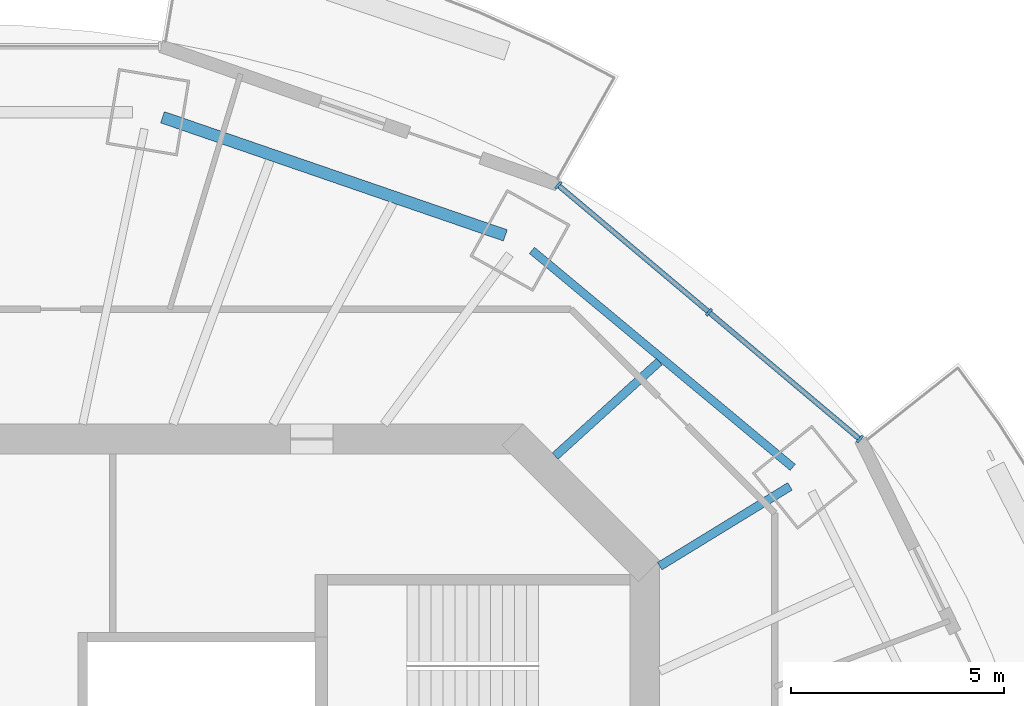
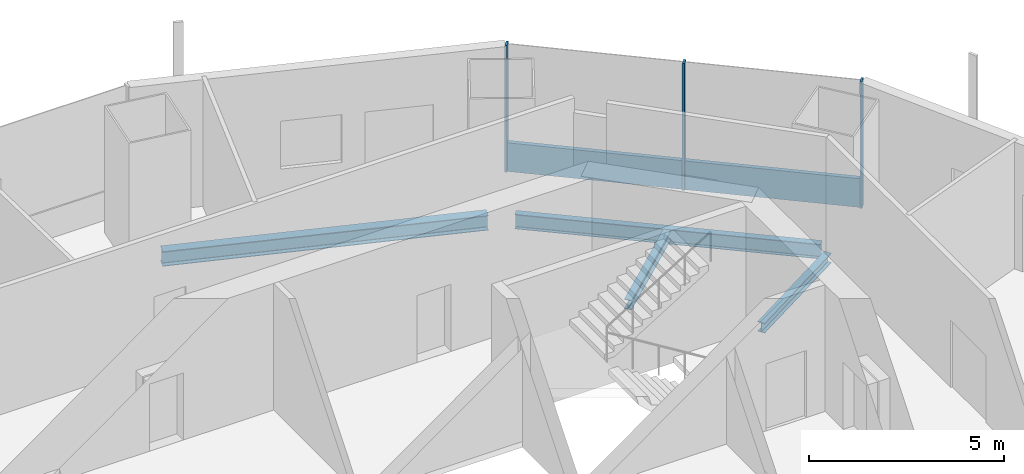
# One storey, part 6 of 16: 4 beams, 4 members, 1 element without a shape of its own.
"""IFC4 building model written with IfcOpenShell, lengths in metres."""

from ifc_helpers import new_model, si_unit, direction, frame, origin, origin_2d, place, context, subcontext, project, spatial, rectangle, i_section, extrude, material, material_profile, profile_set, type_object, element, aggregate, save


model = new_model("IFC4")

# Units and contexts
model_context = context("Model", 3, precision=1e-05, world=origin(), true_north=direction((0.0, 1.0)))
body_context = subcontext(model_context, "Body", "Model", "MODEL_VIEW")
ifc_project = project(units=[si_unit("LENGTHUNIT", "METRE"), si_unit("AREAUNIT", "SQUARE_METRE"), si_unit("VOLUMEUNIT", "CUBIC_METRE"), si_unit("PLANEANGLEUNIT", "RADIAN"), si_unit("MASSUNIT", "GRAM", prefix="KILO")], contexts=[model_context])

# Site, building, storey
site_placement = place(None, origin())
site = spatial("IfcSite", under=ifc_project, at=site_placement, CompositionType="ELEMENT")
building_placement = place(site_placement, origin())
building = spatial("IfcBuilding", under=site, at=building_placement, Name="Marenthal Gate Tower", CompositionType="ELEMENT")
storey_placement = place(building_placement, frame((0.0, 0.0, 379.949951171875)))
storey = spatial("IfcBuildingStorey", under=building, at=storey_placement, Name="L86", CompositionType="ELEMENT", Elevation=379.949951171875)

# Curtain wall, members
ifc_material_1 = material(Name="Aluminium and glass", Category="aluminium")
curtain_wall_type = type_object("IfcCurtainWallType", Name="Curtain wall typical high", PredefinedType="NOTDEFINED", material=ifc_material_1)
curtain_wall_placement = place(storey_placement, origin())
curtain_wall = element("IfcCurtainWall", 1, at=curtain_wall_placement, inside=storey, type_object=curtain_wall_type, Name="Curtain wall L86 bay 2", PredefinedType="NOTDEFINED")
ifc_material_2 = material(Name="Aluminium", Category="aluminium")
ifc_material_profile_1 = material_profile(ifc_material_2, rectangle(XDim=0.199951171875, YDim=0.06005859375, at=origin_2d()), Name="60x200 aluminium mullion")
ifc_profile_set_1 = profile_set([ifc_material_profile_1], Name="Aluminium")
member_type_1 = type_object("IfcMemberType", Name="Mullion 60x200 typical high", PredefinedType="MULLION", material=ifc_profile_set_1)
member_1_placement = place(storey_placement, frame((21.04736328125, 13.000244140625, 0.0), z_axis=(0.0, 0.0, 1.0), x_axis=(-0.64413508453, -0.764911754961, 0.0)))
member_1 = element("IfcMember", 2, at=member_1_placement, type_object=member_type_1, Name="Mullion L86 bay 2.1", PredefinedType="MULLION", context=body_context, shape_type="SweptSolid", body=[
    extrude(rectangle(XDim=0.199951171875, YDim=0.06005859375, at=origin_2d()), origin(), (0.0, 0.0, 1.0), 3.969970703125),
])
member_2_placement = place(storey_placement, frame((17.508056640625, 15.98046875, 0.0), z_axis=(0.0, 0.0, 1.0), x_axis=(-0.64413508453, -0.764911754961, 0.0)))
member_2 = element("IfcMember", 3, at=member_2_placement, type_object=member_type_1, Name="Mullion L86 bay 2.2", PredefinedType="MULLION", context=body_context, shape_type="SweptSolid", body=[
    extrude(rectangle(XDim=0.199951171875, YDim=0.06005859375, at=origin_2d()), origin(), (0.0, 0.0, 1.0), 3.969970703125),
])
member_3_placement = place(storey_placement, frame((13.96875, 18.9609375, 0.0), z_axis=(0.0, 0.0, 1.0), x_axis=(-0.64413508453, -0.764911754961, 0.0)))
member_3 = element("IfcMember", 4, at=member_3_placement, type_object=member_type_1, Name="Mullion L86 bay 2.3", PredefinedType="MULLION", context=body_context, shape_type="SweptSolid", body=[
    extrude(rectangle(XDim=0.199951171875, YDim=0.06005859375, at=origin_2d()), origin(), (0.0, 0.0, 1.0), 3.969970703125),
])
ifc_material_3 = material(Name="Aluminium", Category="aluminium")
ifc_material_profile_2 = material_profile(ifc_material_3, rectangle(XDim=0.1201171875, YDim=0.89990234375, at=origin_2d()), Name="120x900 aluminium transom")
ifc_profile_set_2 = profile_set([ifc_material_profile_2], Name="Aluminium")
member_type_2 = type_object("IfcMemberType", Name="Transom 120x900 typical high", PredefinedType="USERDEFINED", material=ifc_profile_set_2)
member_4_placement = place(storey_placement, frame((21.0244140625, 13.01953125, 0.449951171875), z_axis=(-0.764920149863, 0.644125115435, 0.0), x_axis=(-0.644125115435, -0.764920149863, 0.0)))
member_4 = element("IfcMember", 5, at=member_4_placement, type_object=member_type_2, Name="Transom L86 bay 2", ObjectType="TRANSOM", PredefinedType="USERDEFINED", context=body_context, shape_type="SweptSolid", body=[
    extrude(rectangle(XDim=0.1201171875, YDim=0.89990234375, at=origin_2d()), origin(), (0.0, 0.0, 1.0), 9.194091796875),
])
aggregate(curtain_wall, [member_1, member_2, member_3, member_4])

# Beams
ifc_material_4 = material(Name="Steel S355", Category="steel")
ifc_material_profile_3 = material_profile(ifc_material_4, i_section(OverallWidth=0.202880859375, OverallDepth=0.302001953125, WebThickness=0.007568359375, FlangeThickness=0.01318359375, FilletRadius=0.0126953125, at=origin_2d()), Name="W310X60")
ifc_profile_set_3 = profile_set([ifc_material_profile_3], Name="Steel S355")
beam_type_1 = type_object("IfcBeamType", Name="W310X60 beam", PredefinedType="BEAM", material=ifc_profile_set_3)
beam_1_placement = place(storey_placement, frame((16.3408203125, 14.820068359375, -0.3310546875), z_axis=(-0.74074555035, -0.671785702168, 0.0), x_axis=(0.671785702168, -0.74074555035, 0.0)))
element("IfcBeam", 6, at=beam_1_placement, inside=storey, type_object=beam_type_1, Name="BM-L86-19", PredefinedType="BEAM", context=body_context, shape_type="SweptSolid", body=[
    extrude(i_section(OverallWidth=0.202880859375, OverallDepth=0.302001953125, WebThickness=0.007568359375, FlangeThickness=0.01318359375, FilletRadius=0.0126953125, at=origin_2d()), origin(), (0.0, 0.0, 1.0), 3.30322265625),
])
ifc_material_5 = material(Name="Steel S355", Category="steel")
ifc_material_profile_4 = material_profile(ifc_material_5, i_section(OverallWidth=0.205078125, OverallDepth=0.31005859375, WebThickness=0.009521484375, FlangeThickness=0.016357421875, FilletRadius=0.0126953125, at=origin_2d()), Name="W310X74")
ifc_profile_set_4 = profile_set([ifc_material_profile_4], Name="Steel S355")
beam_type_2 = type_object("IfcBeamType", Name="W310X74 beam", PredefinedType="BEAM", material=ifc_profile_set_4)
beam_2_placement = place(storey_placement, frame((19.4091796875, 11.890380859375, -0.3349609375), z_axis=(-0.852682419774, -0.522429603879, 0.0), x_axis=(0.522429603879, -0.852682419774, 0.0)))
element("IfcBeam", 7, at=beam_2_placement, inside=storey, type_object=beam_type_2, Name="BM-L86-02", PredefinedType="BEAM", context=body_context, shape_type="SweptSolid", body=[
    extrude(i_section(OverallWidth=0.205078125, OverallDepth=0.31005859375, WebThickness=0.009521484375, FlangeThickness=0.016357421875, FilletRadius=0.0126953125, at=origin_2d()), origin(), (0.0, 0.0, 1.0), 3.587646484375),
])
ifc_material_6 = material(Name="Steel S355", Category="steel")
ifc_material_profile_5 = material_profile(ifc_material_6, i_section(OverallWidth=0.279052734375, OverallDepth=0.4619140625, WebThickness=0.0107421875, FlangeThickness=0.017333984375, FilletRadius=0.010009765625, at=origin_2d()), Name="W460X113")
ifc_profile_set_5 = profile_set([ifc_material_profile_5], Name="Steel S355")
beam_type_3 = type_object("IfcBeamType", Name="W460X113 beam", PredefinedType="BEAM", material=ifc_profile_set_5)
beam_3_placement = place(storey_placement, frame((12.724609375, 17.784912109375, -0.410888671875), z_axis=(-0.945450630653, 0.32576541406, 0.0), x_axis=(-0.32576541406, -0.945450630653, 0.0)))
element("IfcBeam", 8, at=beam_3_placement, inside=storey, type_object=beam_type_3, Name="BM-L86-41", PredefinedType="BEAM", context=body_context, shape_type="SweptSolid", body=[
    extrude(i_section(OverallWidth=0.279052734375, OverallDepth=0.4619140625, WebThickness=0.0107421875, FlangeThickness=0.017333984375, FilletRadius=0.010009765625, at=origin_2d()), origin(), (0.0, 0.0, 1.0), 8.517333984375),
])
ifc_material_7 = material(Name="Steel S355", Category="steel")
ifc_material_profile_6 = material_profile(ifc_material_7, i_section(OverallWidth=0.19091796875, OverallDepth=0.45703125, WebThickness=0.009033203125, FlangeThickness=0.014404296875, FilletRadius=0.01025390625, at=origin_2d()), Name="W460X74")
ifc_profile_set_6 = profile_set([ifc_material_profile_6], Name="Steel S355")
beam_type_4 = type_object("IfcBeamType", Name="W460X74 beam", PredefinedType="BEAM", material=ifc_profile_set_6)
beam_4_placement = place(storey_placement, frame((19.47412109375, 12.337890625, -0.408447265625), z_axis=(-0.76879863702, 0.639490934819, 0.0), x_axis=(-0.639490934819, -0.76879863702, 0.0)))
element("IfcBeam", 9, at=beam_4_placement, inside=storey, type_object=beam_type_4, Name="BM-L86-40", PredefinedType="BEAM", context=body_context, shape_type="SweptSolid", body=[
    extrude(i_section(OverallWidth=0.19091796875, OverallDepth=0.45703125, WebThickness=0.009033203125, FlangeThickness=0.014404296875, FilletRadius=0.01025390625, at=origin_2d()), origin(), (0.0, 0.0, 1.0), 7.967529296875),
])

save(model, "model.ifc")
